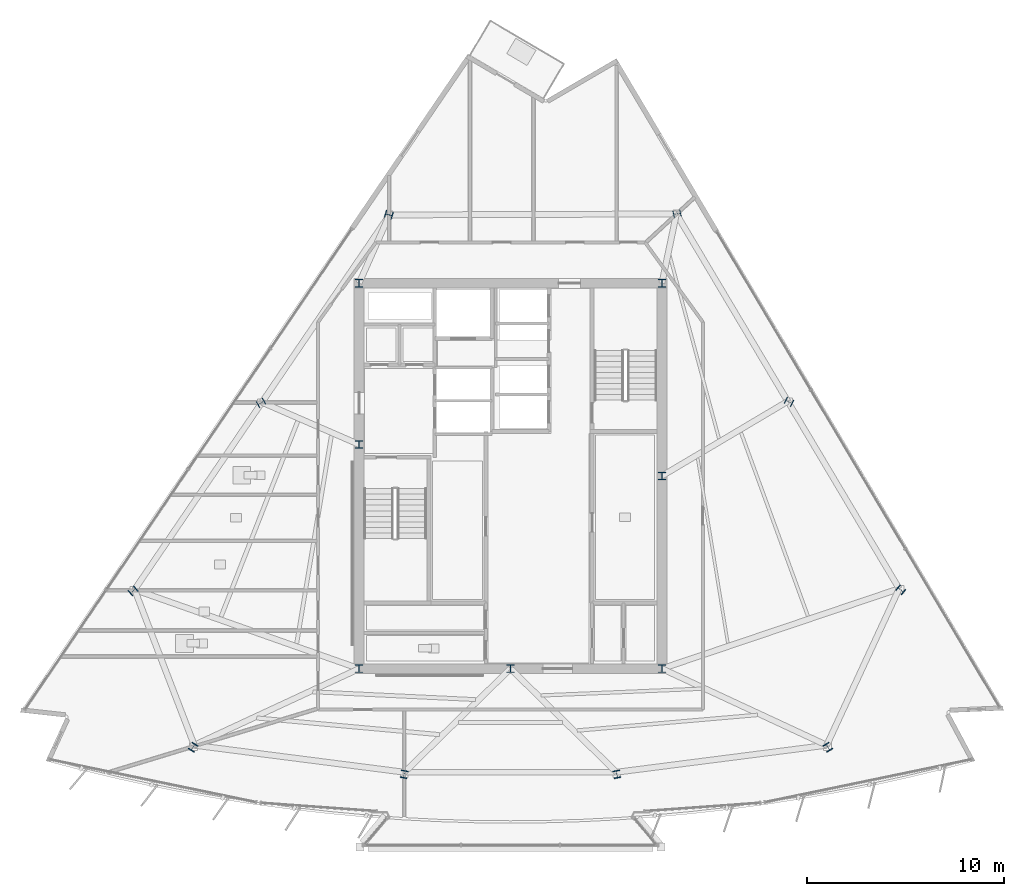
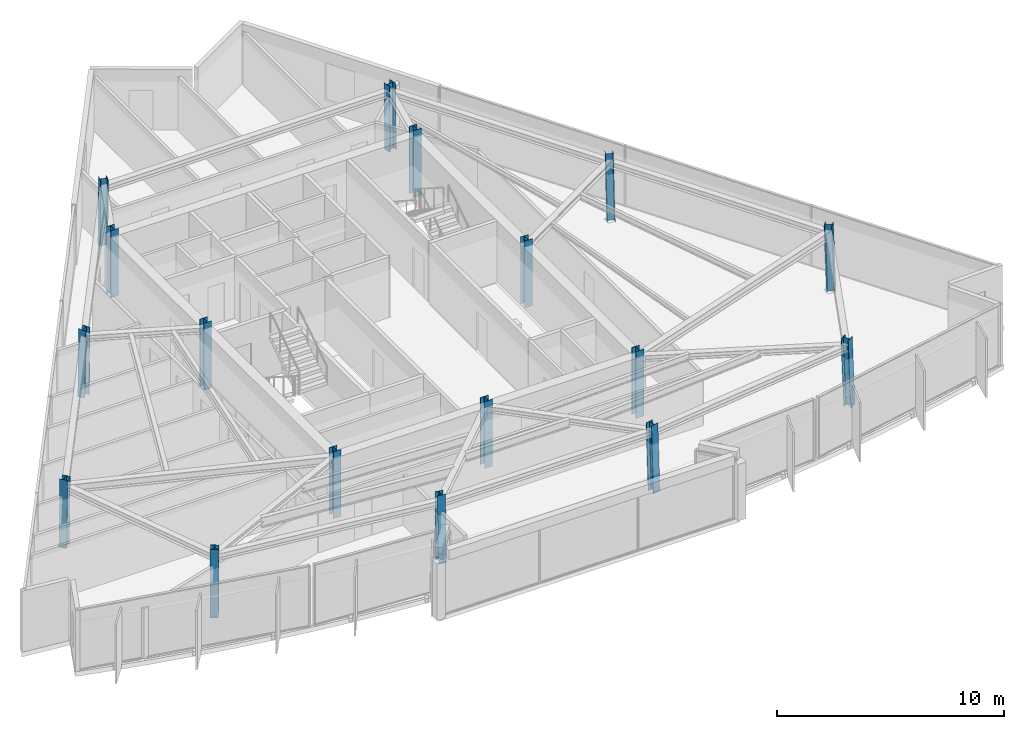
# One storey, part 1 of 14: 17 columns.
"""IFC4 building model written with IfcOpenShell, lengths in metres."""

from ifc_helpers import new_model, si_unit, direction, frame, origin, origin_2d, place, context, subcontext, project, spatial, i_section, extrude, material, material_profile, profile_set, type_object, element, save


model = new_model("IFC4")

# Units and contexts
model_context = context("Model", 3, precision=1e-05, world=origin(), true_north=direction((0.0, 1.0)))
body_context = subcontext(model_context, "Body", "Model", "MODEL_VIEW")
ifc_project = project(units=[si_unit("LENGTHUNIT", "METRE"), si_unit("AREAUNIT", "SQUARE_METRE"), si_unit("VOLUMEUNIT", "CUBIC_METRE"), si_unit("PLANEANGLEUNIT", "RADIAN"), si_unit("MASSUNIT", "GRAM", prefix="KILO")], contexts=[model_context])

# Site, building, storey
site_placement = place(None, origin())
site = spatial("IfcSite", under=ifc_project, at=site_placement, CompositionType="ELEMENT")
building_placement = place(site_placement, origin())
building = spatial("IfcBuilding", under=site, at=building_placement, Name="Savorim Split Tower", CompositionType="ELEMENT")
storey_placement = place(building_placement, frame((0.0, 0.0, 237.89990234375)))
storey = spatial("IfcBuildingStorey", under=building, at=storey_placement, Name="L63", CompositionType="ELEMENT", Elevation=237.89990234375)

# Columns
ifc_material = material(Name="Steel S355", Category="steel")
ifc_material_profile_1 = material_profile(ifc_material, i_section(OverallWidth=0.3740234375, OverallDepth=0.3720703125, WebThickness=0.01220703125, FlangeThickness=0.02001953125, FilletRadius=0.014892578125, at=origin_2d()), Name="HD 360x196")
ifc_profile_set_1 = profile_set([ifc_material_profile_1], Name="Steel S355")
column_type_1 = type_object("IfcColumnType", Name="COL-HD-196", PredefinedType="COLUMN", material=ifc_profile_set_1)
column_1_placement = place(storey_placement, frame((-16.15185546875, -13.4130859375, 0.005615234375), z_axis=(0.020596292833, 0.033511459955, 0.999226087917), x_axis=(-0.851954850327, 0.523615252838, 0.0)))
element("IfcColumn", 1, at=column_1_placement, inside=storey, type_object=column_type_1, Name="L63 Tapered Perimeter Column PC-S1", PredefinedType="COLUMN", context=body_context, shape_type="SweptSolid", body=[
    extrude(i_section(OverallWidth=0.3740234375, OverallDepth=0.3720703125, WebThickness=0.01220703125, FlangeThickness=0.02001953125, FilletRadius=0.014892578125, at=origin_2d()), origin(), (0.0, 0.0, 1.0), 3.591552734375),
])
for number, where, z_axis, x_axis, name in (
    (2, (-5.413330078125, -14.791748046875, 0.005615234375), (0.006934304776, 0.03521539092, 0.999355688261), (-0.981159154887, 0.193201223549, 0.0), "L63 Tapered Perimeter Column PC-S2"),
    (3, (5.413330078125, -14.791748046875, 0.005615234375), (-0.006934304776, 0.03521539092, 0.999355688261), (-0.981159154887, -0.193201223549, 0.0), "L63 Tapered Perimeter Column PC-S3"),
):
    element("IfcColumn", number, at=place(storey_placement, frame(where, z_axis=z_axis, x_axis=x_axis)), inside=storey, type_object=column_type_1, Name=name, PredefinedType="COLUMN", context=body_context, shape_type="SweptSolid", body=[
        extrude(i_section(OverallWidth=0.3740234375, OverallDepth=0.3720703125, WebThickness=0.01220703125, FlangeThickness=0.02001953125, FilletRadius=0.014892578125, at=origin_2d()), origin(), (0.0, 0.0, 1.0), 3.591064453125),
    ])
column_2_placement = place(storey_placement, frame((16.15185546875, -13.4130859375, 0.005615234375), z_axis=(-0.020596292833, 0.033511459955, 0.999226087917), x_axis=(-0.851954850327, -0.523615252838, 0.0)))
element("IfcColumn", 4, at=column_2_placement, inside=storey, type_object=column_type_1, Name="L63 Tapered Perimeter Column PC-S4", PredefinedType="COLUMN", context=body_context, shape_type="SweptSolid", body=[
    extrude(i_section(OverallWidth=0.3740234375, OverallDepth=0.3720703125, WebThickness=0.01220703125, FlangeThickness=0.02001953125, FilletRadius=0.014892578125, at=origin_2d()), origin(), (0.0, 0.0, 1.0), 3.591552734375),
])
column_3_placement = place(storey_placement, frame((19.8564453125, -5.408447265625, 0.005615234375), z_axis=(-0.026107436898, 0.021620221181, 0.999425318758), x_axis=(-0.637813971185, -0.770190455771, 0.0)))
element("IfcColumn", 5, at=column_3_placement, inside=storey, type_object=column_type_1, Name="L63 Tapered Perimeter Column PC-E1", PredefinedType="COLUMN", context=body_context, shape_type="SweptSolid", body=[
    extrude(i_section(OverallWidth=0.3740234375, OverallDepth=0.3720703125, WebThickness=0.01220703125, FlangeThickness=0.02001953125, FilletRadius=0.014892578125, at=origin_2d()), origin(), (0.0, 0.0, 1.0), 3.5908203125),
])
column_4_placement = place(storey_placement, frame((14.166748046875, 4.159912109375, 0.005615234375), z_axis=(-0.018907314261, 0.009589680974, 0.999775250487), x_axis=(-0.452339157861, -0.891845999187, 0.0)))
element("IfcColumn", 6, at=column_4_placement, inside=storey, type_object=column_type_1, Name="L63 Tapered Perimeter Column PC-E2", PredefinedType="COLUMN", context=body_context, shape_type="SweptSolid", body=[
    extrude(i_section(OverallWidth=0.3740234375, OverallDepth=0.3720703125, WebThickness=0.01220703125, FlangeThickness=0.02001953125, FilletRadius=0.014892578125, at=origin_2d()), origin(), (0.0, 0.0, 1.0), 3.589599609375),
])
for number, where, z_axis, x_axis, name in (
    (7, (8.477294921875, 13.728515625, 0.005615234375), (-0.011767855299, -0.002516824544, 0.999927588966), (0.209143047003, -0.977885057607, 0.0), "L63 Tapered Perimeter Column PC-E3"),
    (8, (-6.18603515625, 13.6796875, 0.005615234375), (0.008843163607, -0.002516900411, 0.999957730942), (0.273743828055, 0.961802639112, 0.0), "L63 Tapered Perimeter Column PC-W1"),
):
    element("IfcColumn", number, at=place(storey_placement, frame(where, z_axis=z_axis, x_axis=x_axis)), inside=storey, type_object=column_type_1, Name=name, PredefinedType="COLUMN", context=body_context, shape_type="SweptSolid", body=[
        extrude(i_section(OverallWidth=0.3740234375, OverallDepth=0.3720703125, WebThickness=0.01220703125, FlangeThickness=0.02001953125, FilletRadius=0.014892578125, at=origin_2d()), origin(), (0.0, 0.0, 1.0), 3.589111328125),
    ])
column_5_placement = place(storey_placement, frame((-12.6953125, 4.111083984375, 0.005615234375), z_axis=(0.017003561856, 0.009590008887, 0.99980943715), x_axis=(-0.491253415567, 0.871016694268, 0.0)))
element("IfcColumn", 9, at=column_5_placement, inside=storey, type_object=column_type_1, Name="L63 Tapered Perimeter Column PC-W2", PredefinedType="COLUMN", context=body_context, shape_type="SweptSolid", body=[
    extrude(i_section(OverallWidth=0.3740234375, OverallDepth=0.3720703125, WebThickness=0.01220703125, FlangeThickness=0.02001953125, FilletRadius=0.014892578125, at=origin_2d()), origin(), (0.0, 0.0, 1.0), 3.589599609375),
])
column_6_placement = place(storey_placement, frame((-19.20458984375, -5.457275390625, 0.005615234375), z_axis=(0.025224163578, 0.021620711639, 0.999447990843), x_axis=(-0.650791373456, 0.759256602365, 0.0)))
element("IfcColumn", 10, at=column_6_placement, inside=storey, type_object=column_type_1, Name="L63 Tapered Perimeter Column PC-W3", PredefinedType="COLUMN", context=body_context, shape_type="SweptSolid", body=[
    extrude(i_section(OverallWidth=0.3740234375, OverallDepth=0.3720703125, WebThickness=0.01220703125, FlangeThickness=0.02001953125, FilletRadius=0.014892578125, at=origin_2d()), origin(), (0.0, 0.0, 1.0), 3.5908203125),
])
ifc_material_profile_2 = material_profile(ifc_material, i_section(OverallWidth=0.39794921875, OverallDepth=0.386962890625, WebThickness=0.013427734375, FlangeThickness=0.02197265625, FilletRadius=0.014892578125, at=origin_2d()), Name="HD 400x262")
ifc_profile_set_2 = profile_set([ifc_material_profile_2], Name="Steel S355")
column_type_2 = type_object("IfcColumnType", Name="COL-HD-262", PredefinedType="COLUMN", material=ifc_profile_set_2)
for number, where, z_axis, x_axis, name in (
    (11, (-7.699951171875, -9.39990234375, 0.0), (0.0, 0.0, 1.0), (1.0, 0.0, 0.0), "L63 Core Structural Column TC-C1"),
    (12, (7.699951171875, -9.39990234375, 0.0), (0.0, 0.0, 1.0), (1.0, 0.0, 0.0), "L63 Core Structural Column TC-C2"),
    (13, (7.699951171875, 10.199951171875, 0.0), (0.0, 0.0, 1.0), (1.0, 0.0, 0.0), "L63 Core Structural Column TC-C3"),
    (14, (-7.699951171875, 10.199951171875, 0.0), (0.0, 0.0, 1.0), (1.0, 0.0, 0.0), "L63 Core Structural Column TC-C4"),
    (15, (0.0, -9.39990234375, 0.0), (0.0, 0.0, 1.0), (1.0, 0.0, 0.0), "L63 Core Structural Column TC-C5"),
    (16, (7.699951171875, 0.39990234375, 0.0), (0.0, 0.0, 1.0), (1.0, 0.0, 0.0), "L63 Core Structural Column TC-C6"),
    (17, (-7.699951171875, 2.0, 0.0), (0.0, 0.0, 1.0), (1.0, 0.0, 0.0), "L63 Core Structural Column TC-C7"),
):
    element("IfcColumn", number, at=place(storey_placement, frame(where, z_axis=z_axis, x_axis=x_axis)), inside=storey, type_object=column_type_2, Name=name, PredefinedType="COLUMN", context=body_context, shape_type="SweptSolid", body=[
        extrude(i_section(OverallWidth=0.39794921875, OverallDepth=0.386962890625, WebThickness=0.013427734375, FlangeThickness=0.02197265625, FilletRadius=0.014892578125, at=origin_2d()), origin(), (0.0, 0.0, 1.0), 3.60009765625),
    ])

save(model, "model.ifc")
